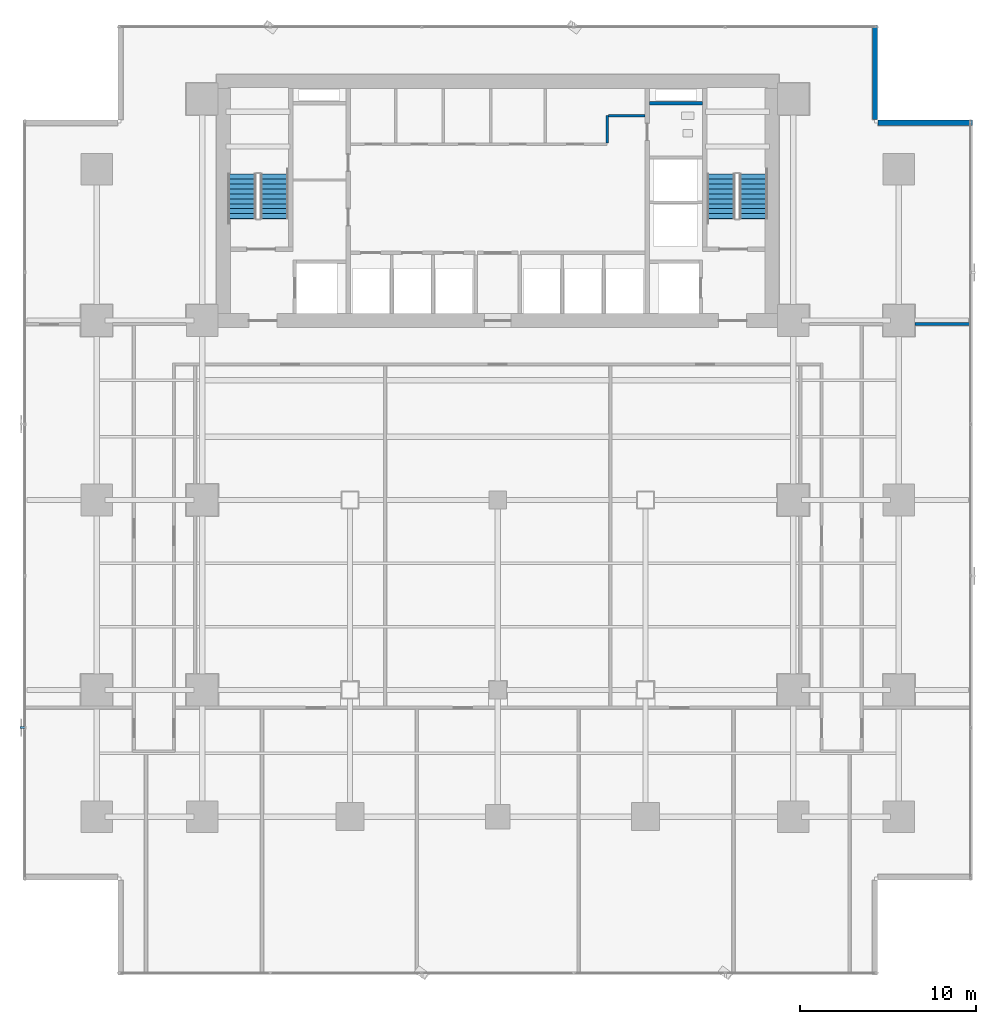
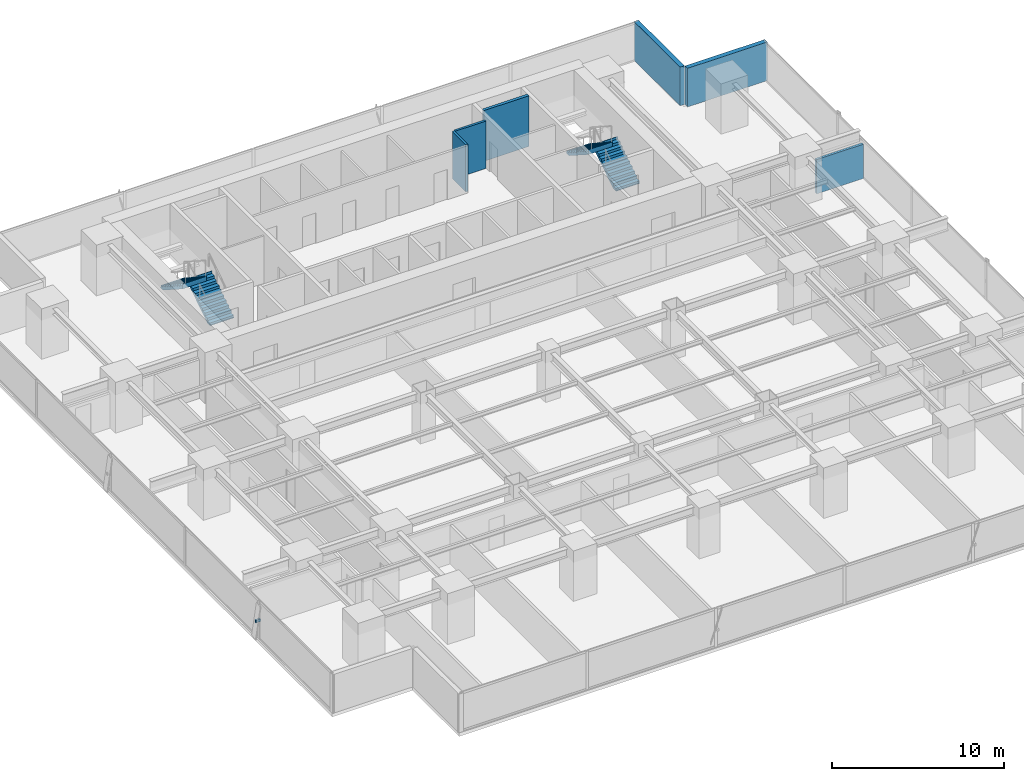
# One storey, part 27 of 34: 6 walls, 4 stair flights, 1 discrete accessory, 2 elements without a shape of their own.
"""IFC4 building model written with IfcOpenShell, lengths in metres."""

from ifc_helpers import new_model, si_unit, direction, frame, frame_2d, origin, origin_2d, place, context, subcontext, project, spatial, polyline, rectangle, outline, extrude, source, transform, mapped, material, layer, layer_set, material_profile, profile_set, type_object, element, aggregate, save


model = new_model("IFC4")

# Units and contexts
model_context = context("Model", 3, precision=1e-05, world=origin(), true_north=direction((0.0, 1.0)))
body_context = subcontext(model_context, "Body", "Model", "MODEL_VIEW")
ifc_project = project(units=[si_unit("LENGTHUNIT", "METRE"), si_unit("AREAUNIT", "SQUARE_METRE"), si_unit("VOLUMEUNIT", "CUBIC_METRE"), si_unit("PLANEANGLEUNIT", "RADIAN"), si_unit("MASSUNIT", "GRAM", prefix="KILO")], contexts=[model_context])

# Site, building, storey
site_placement = place(None, origin())
site = spatial("IfcSite", under=ifc_project, at=site_placement, CompositionType="ELEMENT")
building_placement = place(site_placement, origin())
building = spatial("IfcBuilding", under=site, at=building_placement, Name="Sumidabori Civic Tower", CompositionType="ELEMENT")
storey_placement = place(building_placement, frame((0.0, 0.0, 56.0)))
storey = spatial("IfcBuildingStorey", under=building, at=storey_placement, Name="L14", CompositionType="ELEMENT", Elevation=56.0)

# Walls
ifc_material_1 = material(Name="Concrete C50/60", Category="concrete")
ifc_layer_1 = layer(ifc_material_1, 0.199951171875, Name="Concrete C50/60")
ifc_layer_set_1 = layer_set([ifc_layer_1], Name="Concrete C50/60")
wall_type_1 = type_object("IfcWallType", Name="WL-SHAFT-200", PredefinedType="SHEAR", material=ifc_layer_set_1)
shared_shape_1 = source(origin(), body_context, "Body", "SweptSolid", [
    extrude(rectangle(XDim=3.02001953125, YDim=0.199951171875, at=frame_2d((1.510009765625, 0.0))), origin(), (0.0, 0.0, 1.0), 3.60009765625),
])
wall_1_placement = place(storey_placement, frame((8.625, 22.550048828125, 0.0), z_axis=(0.0, 0.0, 1.0), x_axis=(1.0, 0.0, 0.0)))
element("IfcWall", 1, at=wall_1_placement, inside=storey, type_object=wall_type_1, Name="Core Shear Wall L14 RIS2-S", PredefinedType="SHEAR", context=body_context, shape_type="MappedRepresentation", body=[
    mapped(shared_shape_1, transform((0.0, 0.0, 0.0), x_axis=(1.0, 0.0, 0.0), y_axis=(0.0, 1.0, 0.0), z_axis=(0.0, 0.0, 1.0), scale=1.0)),
])
ifc_material_2 = material(Name="Precast concrete C40/50", Category="concrete")
ifc_layer_2 = layer(ifc_material_2, 0.300048828125, Name="Precast concrete C40/50")
ifc_layer_set_2 = layer_set([ifc_layer_2], Name="Precast concrete C40/50")
wall_type_2 = type_object("IfcWallType", Name="WL-EXT-POD300", PredefinedType="STANDARD", material=ifc_layer_set_2)
shared_shape_2 = source(origin(), body_context, "Body", "SweptSolid", [
    extrude(rectangle(XDim=5.35986328125, YDim=0.300048828125, at=frame_2d((2.679931640625, 0.0))), origin(), (0.0, 0.0, 1.0), 2.739990234375),
])
for number, where, z_axis, x_axis, name in (
    (2, (26.97998046875, 21.449951171875, 0.0), (0.0, 0.0, 1.0), (-1.0, 0.0, 0.0), "Notched Corner Spandrel Band L14-05"),
    (3, (21.449951171875, 21.6201171875, 0.0), (0.0, 0.0, 1.0), (0.0, 1.0, 0.0), "Notched Corner Spandrel Band L14-06"),
):
    element("IfcWall", number, at=place(storey_placement, frame(where, z_axis=z_axis, x_axis=x_axis)), inside=storey, type_object=wall_type_2, Name=name, PredefinedType="STANDARD", context=body_context, shape_type="MappedRepresentation", body=[
        mapped(shared_shape_2, transform((0.0, 0.0, 0.0), x_axis=(1.0, 0.0, 0.0), y_axis=(0.0, 1.0, 0.0), z_axis=(0.0, 0.0, 1.0), scale=1.0)),
    ])
ifc_material_3 = material(Name="Gypsum Plasterboard Acoustic Partition")
ifc_layer_3 = layer(ifc_material_3, 0.14990234375, Name="Gypsum Plasterboard Acoustic Partition")
ifc_layer_set_3 = layer_set([ifc_layer_3], Name="Gypsum Plasterboard Acoustic Partition")
wall_type_3 = type_object("IfcWallType", Name="WL-PART-150", PredefinedType="PARTITIONING", material=ifc_layer_set_3)
shared_shape_3 = source(origin(), body_context, "Body", "SweptSolid", [
    extrude(rectangle(XDim=1.550048828125, YDim=0.14990234375, at=frame_2d((0.77490234375, 0.0))), origin(), (0.0, 0.0, 1.0), 3.360107421875),
])
wall_2_placement = place(storey_placement, frame((6.219970703125, 20.300048828125, 0.0), z_axis=(0.0, 0.0, 1.0), x_axis=(0.0, 1.0, 0.0)))
element("IfcWall", 4, at=wall_2_placement, inside=storey, type_object=wall_type_3, Name="Interior Partition WL:L14:CBAND-ME1", PredefinedType="PARTITIONING", context=body_context, shape_type="MappedRepresentation", body=[
    mapped(shared_shape_3, transform((0.0, 0.0, 0.0), x_axis=(1.0, 0.0, 0.0), y_axis=(0.0, 1.0, 0.0), z_axis=(0.0, 0.0, 1.0), scale=1.0)),
])
shared_shape_4 = source(origin(), body_context, "Body", "SweptSolid", [
    extrude(rectangle(XDim=2.070068359375, YDim=0.14990234375, at=frame_2d((1.03515625, 0.0))), origin(), (0.0, 0.0, 1.0), 3.360107421875),
])
wall_3_placement = place(storey_placement, frame((6.300048828125, 21.85009765625, 0.0), z_axis=(0.0, 0.0, 1.0), x_axis=(1.0, 0.0, 0.0)))
element("IfcWall", 5, at=wall_3_placement, inside=storey, type_object=wall_type_3, Name="Interior Partition WL:L14:CBAND-ME2", PredefinedType="PARTITIONING", context=body_context, shape_type="MappedRepresentation", body=[
    mapped(shared_shape_4, transform((0.0, 0.0, 0.0), x_axis=(1.0, 0.0, 0.0), y_axis=(0.0, 1.0, 0.0), z_axis=(0.0, 0.0, 1.0), scale=1.0)),
])
ifc_layer_4 = layer(ifc_material_3, 0.1650390625, Name="Gypsum Plasterboard Acoustic Partition")
ifc_layer_set_4 = layer_set([ifc_layer_4], Name="Gypsum Plasterboard Acoustic Partition")
wall_type_4 = type_object("IfcWallType", Name="WL-PART-165", PredefinedType="PARTITIONING", material=ifc_layer_set_4)
shared_shape_5 = source(origin(), body_context, "Body", "SweptSolid", [
    extrude(rectangle(XDim=3.14013671875, YDim=0.1650390625, at=frame_2d((1.570068359375, 0.0))), origin(), (0.0, 0.0, 1.0), 2.43505859375),
])
wall_4_placement = place(storey_placement, frame((23.7099609375, 10.0, 0.0), z_axis=(0.0, 0.0, 1.0), x_axis=(1.0, 0.0, 0.0)))
element("IfcWall", 6, at=wall_4_placement, inside=storey, type_object=wall_type_4, Name="Interior Partition WL:L14:FLK-NE-2", PredefinedType="PARTITIONING", context=body_context, shape_type="MappedRepresentation", body=[
    mapped(shared_shape_5, transform((0.0, 0.0, 0.0), x_axis=(1.0, 0.0, 0.0), y_axis=(0.0, 1.0, 0.0), z_axis=(0.0, 0.0, 1.0), scale=1.0)),
])

# Stair, stair flights
ifc_material_4 = material(Name="Concrete C40/50", Category="concrete")
stair_type = type_object("IfcStairType", Name="ST-CORE-1600", PredefinedType="HALF_TURN_STAIR", material=ifc_material_4)
stair_1_placement = place(storey_placement, origin())
stair_1 = element("IfcStair", 7, at=stair_1_placement, inside=storey, type_object=stair_type, Name="L14 ST-1", PredefinedType="HALF_TURN_STAIR")
stair_flight_type = type_object("IfcStairFlightType", Name="SF-CORE-1600", PredefinedType="STRAIGHT", material=ifc_material_4)
shared_shape_6 = source(origin(), body_context, "Body", "SweptSolid", [
    extrude(outline(polyline([(-0.02490234375, 0.0), (-0.02490234375, 0.0400390625), (0.0, 0.0400390625), (0.0, 0.179931640625), (0.280029296875, 0.179931640625), (0.280029296875, 0.360107421875), (0.56005859375, 0.360107421875), (0.56005859375, 0.5400390625), (0.840087890625, 0.5400390625), (0.840087890625, 0.719970703125), (1.1201171875, 0.719970703125), (1.1201171875, 0.89990234375), (1.39990234375, 0.89990234375), (1.39990234375, 1.080078125), (1.679931640625, 1.080078125), (1.679931640625, 1.260009765625), (1.9599609375, 1.260009765625), (1.9599609375, 1.43994140625), (2.239990234375, 1.43994140625), (2.239990234375, 1.6201171875), (2.52001953125, 1.6201171875), (2.52001953125, 1.800048828125), (2.544921875, 1.800048828125), (2.544921875, 1.650146484375), (2.52001953125, 1.44189453125), (0.277099609375, 0.0), (-0.02490234375, 0.0)])), frame((0.0, 0.800048828125, 0.0), z_axis=(0.0, -1.0, 0.0), x_axis=(1.0, 0.0, 0.0)), (0.0, 0.0, 1.0), 1.60009765625),
])
stair_flight_1_placement = place(storey_placement, frame((-12.699951171875, 16.0, 0.0), z_axis=(0.0, 0.0, 1.0), x_axis=(0.0, 1.0, 0.0)))
stair_flight_1 = element("IfcStairFlight", 8, at=stair_flight_1_placement, type_object=stair_flight_type, Name="ST-1 flight 1", NumberOfRisers=10, NumberOfTreads=9, PredefinedType="STRAIGHT", RiserHeight=0.18, TreadLength=0.28, context=body_context, shape_type="MappedRepresentation", body=[
    mapped(shared_shape_6, transform((0.0, 0.0, 0.0), x_axis=(1.0, 0.0, 0.0), y_axis=(0.0, 1.0, 0.0), z_axis=(0.0, 0.0, 1.0), scale=1.0)),
])
stair_flight_2_placement = place(storey_placement, frame((-14.5400390625, 18.52001953125, 1.800048828125), z_axis=(0.0, 0.0, 1.0), x_axis=(0.0, -1.0, 0.0)))
stair_flight_2 = element("IfcStairFlight", 9, at=stair_flight_2_placement, type_object=stair_flight_type, Name="ST-1 flight 2", NumberOfRisers=10, NumberOfTreads=9, PredefinedType="STRAIGHT", RiserHeight=0.18, TreadLength=0.28, context=body_context, shape_type="MappedRepresentation", body=[
    mapped(shared_shape_6, transform((0.0, 0.0, 0.0), x_axis=(1.0, 0.0, 0.0), y_axis=(0.0, 1.0, 0.0), z_axis=(0.0, 0.0, 1.0), scale=1.0)),
])
aggregate(stair_1, [stair_flight_1, stair_flight_2])

stair_2_placement = place(storey_placement, origin())
stair_2 = element("IfcStair", 10, at=stair_2_placement, inside=storey, type_object=stair_type, Name="L14 ST-2", PredefinedType="HALF_TURN_STAIR")
stair_flight_3_placement = place(storey_placement, frame((14.5400390625, 16.0, 0.0), z_axis=(0.0, 0.0, 1.0), x_axis=(0.0, 1.0, 0.0)))
stair_flight_3 = element("IfcStairFlight", 11, at=stair_flight_3_placement, type_object=stair_flight_type, Name="ST-2 flight 1", NumberOfRisers=10, NumberOfTreads=9, PredefinedType="STRAIGHT", RiserHeight=0.18, TreadLength=0.28, context=body_context, shape_type="MappedRepresentation", body=[
    mapped(shared_shape_6, transform((0.0, 0.0, 0.0), x_axis=(1.0, 0.0, 0.0), y_axis=(0.0, 1.0, 0.0), z_axis=(0.0, 0.0, 1.0), scale=1.0)),
])
stair_flight_4_placement = place(storey_placement, frame((12.699951171875, 18.52001953125, 1.800048828125), z_axis=(0.0, 0.0, 1.0), x_axis=(0.0, -1.0, 0.0)))
stair_flight_4 = element("IfcStairFlight", 12, at=stair_flight_4_placement, type_object=stair_flight_type, Name="ST-2 flight 2", NumberOfRisers=10, NumberOfTreads=9, PredefinedType="STRAIGHT", RiserHeight=0.18, TreadLength=0.28, context=body_context, shape_type="MappedRepresentation", body=[
    mapped(shared_shape_6, transform((0.0, 0.0, 0.0), x_axis=(1.0, 0.0, 0.0), y_axis=(0.0, 1.0, 0.0), z_axis=(0.0, 0.0, 1.0), scale=1.0)),
])
aggregate(stair_2, [stair_flight_3, stair_flight_4])

# Discrete accessory
ifc_material_5 = material(Name="Stainless Steel Hairline Finish", Category="steel")
ifc_material_profile = material_profile(ifc_material_5, rectangle(XDim=0.1201171875, YDim=0.179931640625, at=origin_2d()), Name="STEEL BRACKET 180x120")
ifc_profile_set = profile_set([ifc_material_profile], Name="Stainless Steel Hairline Finish")
discrete_accessory_type = type_object("IfcDiscreteAccessoryType", Name="AC-BRK-180", PredefinedType="BRACKET", material=ifc_profile_set)
shared_shape_7 = source(origin(), body_context, "Body", "SweptSolid", [
    extrude(rectangle(XDim=0.1201171875, YDim=0.179931640625, at=origin_2d()), origin(), (0.0, 0.0, 1.0), 0.329833984375),
])
discrete_accessory_placement = place(storey_placement, frame((-26.830078125, -12.94189453125, 1.360107421875), z_axis=(-1.0, 0.0, 0.0), x_axis=(0.0, -1.0, 0.0)))
element("IfcDiscreteAccessory", 13, at=discrete_accessory_placement, inside=storey, type_object=discrete_accessory_type, Name="Bronze Fin Fixing Bracket L14-04", PredefinedType="BRACKET", context=body_context, shape_type="MappedRepresentation", body=[
    mapped(shared_shape_7, transform((0.0, 0.0, 0.0), x_axis=(1.0, 0.0, 0.0), y_axis=(0.0, 1.0, 0.0), z_axis=(0.0, 0.0, 1.0), scale=1.0)),
])

save(model, "model.ifc")
